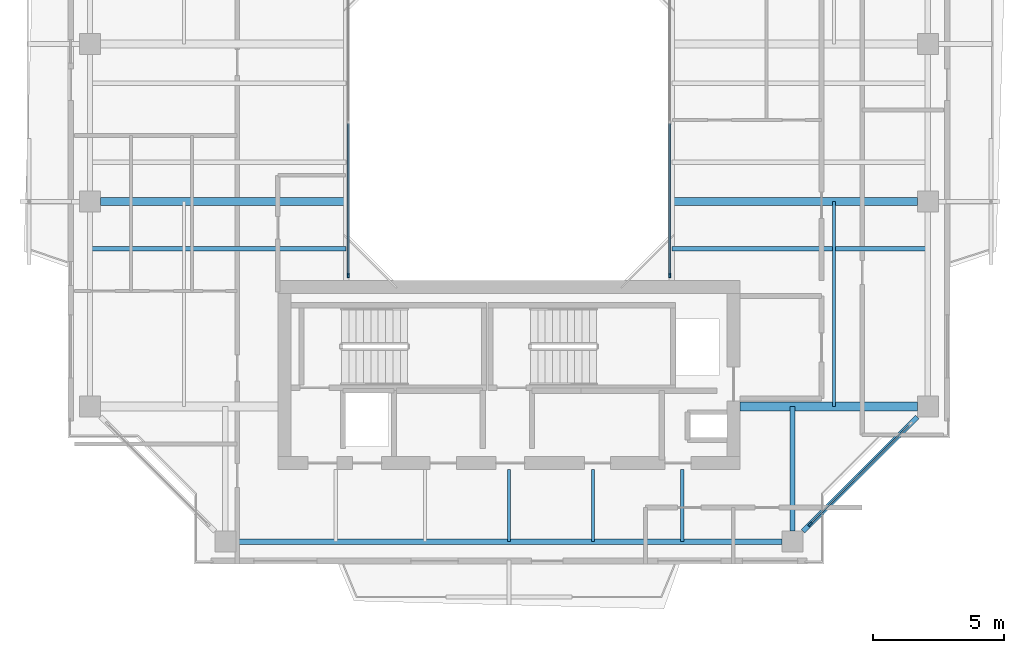
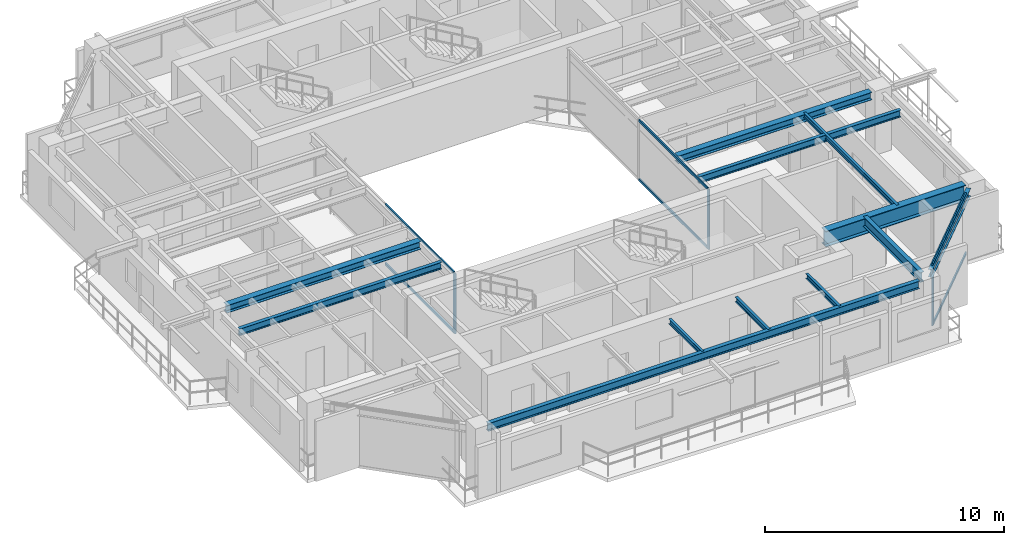
# One storey, part 4 of 16: 12 beams, 9 members, 3 elements without a shape of their own.
"""IFC4 building model written with IfcOpenShell, lengths in metres."""

from ifc_helpers import new_model, si_unit, direction, frame, origin, origin_2d, place, context, subcontext, project, spatial, rectangle, i_section, extrude, source, transform, mapped, material, layer, layer_set, material_profile, profile_set, type_object, element, aggregate, save


model = new_model("IFC4")

# Units and contexts
model_context = context("Model", 3, precision=1e-05, world=origin(), true_north=direction((0.0, 1.0)))
body_context = subcontext(model_context, "Body", "Model", "MODEL_VIEW")
ifc_project = project(units=[si_unit("LENGTHUNIT", "METRE"), si_unit("AREAUNIT", "SQUARE_METRE"), si_unit("VOLUMEUNIT", "CUBIC_METRE"), si_unit("PLANEANGLEUNIT", "RADIAN"), si_unit("MASSUNIT", "GRAM", prefix="KILO"), si_unit("THERMODYNAMICTEMPERATUREUNIT", "KELVIN"), si_unit("POWERUNIT", "WATT")], contexts=[model_context])

# Site, building, storey
site_placement = place(None, origin())
site = spatial("IfcSite", under=ifc_project, at=site_placement, CompositionType="ELEMENT")
building_placement = place(site_placement, origin())
building = spatial("IfcBuilding", under=site, at=building_placement, Name="Qiaomeng Ring Towers", CompositionType="ELEMENT")
storey_placement = place(building_placement, frame((0.0, 0.0, 197.0)))
storey = spatial("IfcBuildingStorey", under=building, at=storey_placement, Name="L57", CompositionType="ELEMENT", Elevation=197.0)

# Beams
ifc_material_1 = material(Name="Steel Q355B", Category="steel")
ifc_material_profile_1 = material_profile(ifc_material_1, i_section(OverallWidth=0.198974609375, OverallDepth=0.39599609375, WebThickness=0.007080078125, FlangeThickness=0.010986328125, FilletRadius=0.01611328125, at=origin_2d()), Name="HN 396x199x7x11")
ifc_profile_set_1 = profile_set([ifc_material_profile_1], Name="Steel Q355B")
beam_type_1 = type_object("IfcBeamType", Name="STR-BM-HN396", PredefinedType="SPANDREL", material=ifc_profile_set_1)
shared_shape_1 = source(origin(), body_context, "Body", "SweptSolid", [
    extrude(i_section(OverallWidth=0.198974609375, OverallDepth=0.39599609375, WebThickness=0.007080078125, FlangeThickness=0.010986328125, FilletRadius=0.01611328125, at=origin_2d()), origin(), (0.0, 0.0, 1.0), 20.8017578125),
])
beam_1_placement = place(storey_placement, frame((8.59912109375, 7.050048828125, 2.8720703125), z_axis=(1.0, 0.0, 0.0), x_axis=(0.0, 1.0, 0.0)))
element("IfcBeam", 1, at=beam_1_placement, inside=storey, type_object=beam_type_1, Name="L57 beam STR-SP-L57-T1-S1-S2", PredefinedType="SPANDREL", context=body_context, shape_type="MappedRepresentation", body=[
    mapped(shared_shape_1, transform((0.0, 0.0, 0.0), x_axis=(1.0, 0.0, 0.0), y_axis=(0.0, 1.0, 0.0), z_axis=(0.0, 0.0, 1.0), scale=1.0)),
])
shared_shape_2 = source(origin(), body_context, "Body", "SweptSolid", [
    extrude(i_section(OverallWidth=0.198974609375, OverallDepth=0.39599609375, WebThickness=0.007080078125, FlangeThickness=0.010986328125, FilletRadius=0.01611328125, at=origin_2d()), origin(), (0.0, 0.0, 1.0), 6.154052734375),
])
beam_2_placement = place(storey_placement, frame((30.19921875, 7.44921875, 2.8720703125), z_axis=(0.707106781187, 0.707106781187, 0.0), x_axis=(-0.707106781187, 0.707106781187, 0.0)))
element("IfcBeam", 2, at=beam_2_placement, inside=storey, type_object=beam_type_1, Name="L57 beam STR-SP-L57-T1-S2-E1", PredefinedType="SPANDREL", context=body_context, shape_type="MappedRepresentation", body=[
    mapped(shared_shape_2, transform((0.0, 0.0, 0.0), x_axis=(1.0, 0.0, 0.0), y_axis=(0.0, 1.0, 0.0), z_axis=(0.0, 0.0, 1.0), scale=1.0)),
])
ifc_material_2 = material(Name="Steel Q390GJC", Category="steel")
ifc_material_profile_2 = material_profile(ifc_material_2, i_section(OverallWidth=0.35009765625, OverallDepth=0.800048828125, WebThickness=0.01611328125, FlangeThickness=0.028076171875, at=origin_2d()), Name="WH 800x350x16x28")
ifc_profile_set_2 = profile_set([ifc_material_profile_2], Name="Steel Q390GJC")
beam_type_2 = type_object("IfcBeamType", Name="STR-BM-WH800", PredefinedType="BEAM", material=ifc_profile_set_2)
shared_shape_3 = source(origin(), body_context, "Body", "SweptSolid", [
    extrude(i_section(OverallWidth=0.35009765625, OverallDepth=0.800048828125, WebThickness=0.01611328125, FlangeThickness=0.028076171875, at=origin_2d()), origin(), (0.0, 0.0, 1.0), 6.7509765625),
])
beam_3_placement = place(storey_placement, frame((27.800048828125, 12.199951171875, 2.669921875), z_axis=(1.0, 0.0, 0.0), x_axis=(0.0, 1.0, 0.0)))
element("IfcBeam", 3, at=beam_3_placement, inside=storey, type_object=beam_type_2, Name="L57 beam STR-BM-L57-T1-RAD-E1", PredefinedType="BEAM", context=body_context, shape_type="MappedRepresentation", body=[
    mapped(shared_shape_3, transform((0.0, 0.0, 0.0), x_axis=(1.0, 0.0, 0.0), y_axis=(0.0, 1.0, 0.0), z_axis=(0.0, 0.0, 1.0), scale=1.0)),
])
ifc_material_profile_3 = material_profile(ifc_material_1, i_section(OverallWidth=0.199951171875, OverallDepth=0.5, WebThickness=0.010009765625, FlangeThickness=0.01611328125, FilletRadius=0.02001953125, at=origin_2d()), Name="HN 500x200x10x16")
ifc_profile_set_3 = profile_set([ifc_material_profile_3], Name="Steel Q355B")
beam_type_3 = type_object("IfcBeamType", Name="STR-BM-HN500", PredefinedType="BEAM", material=ifc_profile_set_3)
shared_shape_4 = source(origin(), body_context, "Body", "SweptSolid", [
    extrude(i_section(OverallWidth=0.199951171875, OverallDepth=0.5, WebThickness=0.010009765625, FlangeThickness=0.01611328125, FilletRadius=0.02001953125, at=origin_2d()), origin(), (0.0, 0.0, 1.0), 4.7509765625),
])
beam_4_placement = place(storey_placement, frame((29.800048828125, 7.448974609375, 2.820068359375), z_axis=(0.0, 1.0, 0.0), x_axis=(-1.0, 0.0, 0.0)))
element("IfcBeam", 4, at=beam_4_placement, inside=storey, type_object=beam_type_3, Name="L57 beam STR-BM-L57-T1-RAD-S2", PredefinedType="BEAM", context=body_context, shape_type="MappedRepresentation", body=[
    mapped(shared_shape_4, transform((0.0, 0.0, 0.0), x_axis=(1.0, 0.0, 0.0), y_axis=(0.0, 1.0, 0.0), z_axis=(0.0, 0.0, 1.0), scale=1.0)),
])
ifc_material_profile_4 = material_profile(ifc_material_1, i_section(OverallWidth=0.300048828125, OverallDepth=0.389892578125, WebThickness=0.010009765625, FlangeThickness=0.01611328125, FilletRadius=0.02197265625, at=origin_2d()), Name="HM 390x300x10x16")
ifc_profile_set_4 = profile_set([ifc_material_profile_4], Name="Steel Q355B")
beam_type_4 = type_object("IfcBeamType", Name="STR-BM-HM390", PredefinedType="BEAM", material=ifc_profile_set_4)
shared_shape_5 = source(origin(), body_context, "Body", "SweptSolid", [
    extrude(i_section(OverallWidth=0.300048828125, OverallDepth=0.389892578125, WebThickness=0.010009765625, FlangeThickness=0.01611328125, FilletRadius=0.02197265625, at=origin_2d()), origin(), (0.0, 0.0, 1.0), 9.35107421875),
])
for number, where, z_axis, x_axis, name in (
    (5, (3.448974609375, 20.0, 2.875), (1.0, 0.0, 0.0), (0.0, 1.0, 0.0), "L57 beam STR-BM-L57-T1-RAD-W2"),
    (6, (25.199951171875, 20.0, 2.875), (1.0, 0.0, 0.0), (0.0, 1.0, 0.0), "L57 beam STR-BM-L57-T1-RAD-E2"),
):
    element("IfcBeam", number, at=place(storey_placement, frame(where, z_axis=z_axis, x_axis=x_axis)), inside=storey, type_object=beam_type_4, Name=name, PredefinedType="BEAM", context=body_context, shape_type="MappedRepresentation", body=[
        mapped(shared_shape_5, transform((0.0, 0.0, 0.0), x_axis=(1.0, 0.0, 0.0), y_axis=(0.0, 1.0, 0.0), z_axis=(0.0, 0.0, 1.0), scale=1.0)),
    ])
ifc_material_profile_5 = material_profile(ifc_material_1, i_section(OverallWidth=0.125, OverallDepth=0.25, WebThickness=0.006103515625, FlangeThickness=0.009033203125, FilletRadius=0.011962890625, at=origin_2d()), Name="HN 250x125x6x9")
ifc_profile_set_5 = profile_set([ifc_material_profile_5], Name="Steel Q355B")
beam_type_5 = type_object("IfcBeamType", Name="STR-BM-HN250", PredefinedType="JOIST", material=ifc_profile_set_5)
shared_shape_6 = source(origin(), body_context, "Body", "SweptSolid", [
    extrude(i_section(OverallWidth=0.125, OverallDepth=0.25, WebThickness=0.006103515625, FlangeThickness=0.009033203125, FilletRadius=0.011962890625, at=origin_2d()), origin(), (0.0, 0.0, 1.0), 2.75),
])
for number, where, z_axis, x_axis, name in (
    (7, (19.0, 7.050048828125, 2.945068359375), (0.0, 1.0, 0.0), (-1.0, 0.0, 0.0), "L57 beam STR-JST-L57-T1S-3"),
    (8, (22.199951171875, 7.050048828125, 2.945068359375), (0.0, 1.0, 0.0), (-1.0, 0.0, 0.0), "L57 beam STR-JST-L57-T1S-4"),
    (9, (25.60009765625, 7.050048828125, 2.945068359375), (0.0, 1.0, 0.0), (-1.0, 0.0, 0.0), "L57 beam STR-JST-L57-T1S-5"),
):
    element("IfcBeam", number, at=place(storey_placement, frame(where, z_axis=z_axis, x_axis=x_axis)), inside=storey, type_object=beam_type_5, Name=name, PredefinedType="JOIST", context=body_context, shape_type="MappedRepresentation", body=[
        mapped(shared_shape_6, transform((0.0, 0.0, 0.0), x_axis=(1.0, 0.0, 0.0), y_axis=(0.0, 1.0, 0.0), z_axis=(0.0, 0.0, 1.0), scale=1.0)),
    ])
ifc_material_profile_6 = material_profile(ifc_material_1, i_section(OverallWidth=0.175048828125, OverallDepth=0.35009765625, WebThickness=0.007080078125, FlangeThickness=0.010986328125, FilletRadius=0.013916015625, at=origin_2d()), Name="HN 350x175x7x11")
ifc_profile_set_6 = profile_set([ifc_material_profile_6], Name="Steel Q355B")
beam_type_6 = type_object("IfcBeamType", Name="STR-BM-HN350", PredefinedType="JOIST", material=ifc_profile_set_6)
shared_shape_7 = source(origin(), body_context, "Body", "SweptSolid", [
    extrude(i_section(OverallWidth=0.175048828125, OverallDepth=0.35009765625, WebThickness=0.007080078125, FlangeThickness=0.010986328125, FilletRadius=0.013916015625, at=origin_2d()), origin(), (0.0, 0.0, 1.0), 9.75),
])
for number, where, z_axis, x_axis, name in (
    (10, (3.050048828125, 18.199951171875, 2.89501953125), (1.0, 0.0, 0.0), (0.0, 1.0, 0.0), "L57 beam STR-JST-L57-T1W-1"),
    (11, (25.199951171875, 18.199951171875, 2.89501953125), (1.0, 0.0, 0.0), (0.0, 1.0, 0.0), "L57 beam STR-JST-L57-T1E-1"),
):
    element("IfcBeam", number, at=place(storey_placement, frame(where, z_axis=z_axis, x_axis=x_axis)), inside=storey, type_object=beam_type_6, Name=name, PredefinedType="JOIST", context=body_context, shape_type="MappedRepresentation", body=[
        mapped(shared_shape_7, transform((0.0, 0.0, 0.0), x_axis=(1.0, 0.0, 0.0), y_axis=(0.0, 1.0, 0.0), z_axis=(0.0, 0.0, 1.0), scale=1.0)),
    ])
shared_shape_8 = source(origin(), body_context, "Body", "SweptSolid", [
    extrude(i_section(OverallWidth=0.125, OverallDepth=0.25, WebThickness=0.006103515625, FlangeThickness=0.009033203125, FilletRadius=0.011962890625, at=origin_2d()), origin(), (0.0, 0.0, 1.0), 7.800048828125),
])
beam_5_placement = place(storey_placement, frame((31.375, 12.199951171875, 2.945068359375), z_axis=(0.0, 1.0, 0.0), x_axis=(-1.0, 0.0, 0.0)))
element("IfcBeam", 12, at=beam_5_placement, inside=storey, type_object=beam_type_5, Name="L57 beam STR-JST-L57-T1C-ES", PredefinedType="JOIST", context=body_context, shape_type="MappedRepresentation", body=[
    mapped(shared_shape_8, transform((0.0, 0.0, 0.0), x_axis=(1.0, 0.0, 0.0), y_axis=(0.0, 1.0, 0.0), z_axis=(0.0, 0.0, 1.0), scale=1.0)),
])

# Curtain wall, member
ifc_material_3 = material(Name="Fluorocarbon dark-grey aluminium", Category="aluminium")
ifc_layer_1 = layer(ifc_material_3, 0.139892578125, Name="Fluorocarbon dark-grey aluminium")
ifc_layer_set_1 = layer_set([ifc_layer_1], Name="Fluorocarbon dark-grey aluminium")
curtain_wall_type_1 = type_object("IfcCurtainWallType", Name="ARC-CW-4", PredefinedType="NOTDEFINED", material=ifc_layer_set_1)
curtain_wall_1_placement = place(storey_placement, origin())
curtain_wall_1 = element("IfcCurtainWall", 13, at=curtain_wall_1_placement, inside=storey, type_object=curtain_wall_type_1, Name="L57 Curtain Wall CW4", PredefinedType="NOTDEFINED")
ifc_material_profile_7 = material_profile(ifc_material_3, rectangle(XDim=0.06494140625, YDim=0.159912109375, at=origin_2d()), Name="ALU MULL 65x160")
ifc_profile_set_7 = profile_set([ifc_material_profile_7], Name="Fluorocarbon dark-grey aluminium")
member_type_1 = type_object("IfcMemberType", Name="ARC-CWM-140", PredefinedType="MULLION", material=ifc_profile_set_7)
shared_shape_9 = source(origin(), body_context, "Body", "SweptSolid", [
    extrude(rectangle(XDim=0.06494140625, YDim=0.159912109375, at=origin_2d()), origin(), (0.0, 0.0, 1.0), 3.070068359375),
])
member_1_placement = place(storey_placement, frame((12.8798828125, 17.1826171875, 0.0), z_axis=(0.0, 0.0, 1.0), x_axis=(-1.0, 0.0, 0.0)))
member_1 = element("IfcMember", 14, at=member_1_placement, type_object=member_type_1, Name="CW4 mullion 1", PredefinedType="MULLION", context=body_context, shape_type="MappedRepresentation", body=[
    mapped(shared_shape_9, transform((0.0, 0.0, 0.0), x_axis=(1.0, 0.0, 0.0), y_axis=(0.0, 1.0, 0.0), z_axis=(0.0, 0.0, 1.0), scale=1.0)),
])

curtain_wall_2_placement = place(storey_placement, origin())
curtain_wall_2 = element("IfcCurtainWall", 15, at=curtain_wall_2_placement, inside=storey, type_object=curtain_wall_type_1, Name="L57 Curtain Wall CW4", PredefinedType="NOTDEFINED")
member_2_placement = place(storey_placement, frame((25.1201171875, 17.1826171875, 0.0), z_axis=(0.0, 0.0, 1.0), x_axis=(-1.0, 0.0, 0.0)))
member_2 = element("IfcMember", 16, at=member_2_placement, type_object=member_type_1, Name="CW4 mullion 1", PredefinedType="MULLION", context=body_context, shape_type="MappedRepresentation", body=[
    mapped(shared_shape_9, transform((0.0, 0.0, 0.0), x_axis=(1.0, 0.0, 0.0), y_axis=(0.0, 1.0, 0.0), z_axis=(0.0, 0.0, 1.0), scale=1.0)),
])

# Member
ifc_material_profile_8 = material_profile(ifc_material_3, rectangle(XDim=0.06494140625, YDim=0.1298828125, at=origin_2d()), Name="ALU TRAN 65x130")
ifc_profile_set_8 = profile_set([ifc_material_profile_8], Name="Fluorocarbon dark-grey aluminium")
member_type_2 = type_object("IfcMemberType", Name="ARC-CWT-120", PredefinedType="USERDEFINED", material=ifc_profile_set_8)
shared_shape_10 = source(origin(), body_context, "Body", "SweptSolid", [
    extrude(rectangle(XDim=0.06494140625, YDim=0.1298828125, at=origin_2d()), origin(), (0.0, 0.0, 1.0), 5.75244140625),
])
member_3_placement = place(storey_placement, frame((12.8798828125, 17.215087890625, 0.032470703125), z_axis=(0.0, 1.0, 0.0), x_axis=(-1.0, 0.0, 0.0)))
member_3 = element("IfcMember", 17, at=member_3_placement, type_object=member_type_2, Name="CW4 transom 1.1", ObjectType="TRANSOM", PredefinedType="USERDEFINED", context=body_context, shape_type="MappedRepresentation", body=[
    mapped(shared_shape_10, transform((0.0, 0.0, 0.0), x_axis=(1.0, 0.0, 0.0), y_axis=(0.0, 1.0, 0.0), z_axis=(0.0, 0.0, 1.0), scale=1.0)),
])

member_4_placement = place(storey_placement, frame((12.8798828125, 17.215087890625, 3.03759765625), z_axis=(0.0, 1.0, 0.0), x_axis=(-1.0, 0.0, 0.0)))
member_4 = element("IfcMember", 18, at=member_4_placement, type_object=member_type_2, Name="CW4 transom 1.2", ObjectType="TRANSOM", PredefinedType="USERDEFINED", context=body_context, shape_type="MappedRepresentation", body=[
    mapped(shared_shape_10, transform((0.0, 0.0, 0.0), x_axis=(1.0, 0.0, 0.0), y_axis=(0.0, 1.0, 0.0), z_axis=(0.0, 0.0, 1.0), scale=1.0)),
])

aggregate(curtain_wall_1, [member_1, member_3, member_4])

member_5_placement = place(storey_placement, frame((25.1201171875, 17.215087890625, 0.032470703125), z_axis=(0.0, 1.0, 0.0), x_axis=(-1.0, 0.0, 0.0)))
member_5 = element("IfcMember", 19, at=member_5_placement, type_object=member_type_2, Name="CW4 transom 1.1", ObjectType="TRANSOM", PredefinedType="USERDEFINED", context=body_context, shape_type="MappedRepresentation", body=[
    mapped(shared_shape_10, transform((0.0, 0.0, 0.0), x_axis=(1.0, 0.0, 0.0), y_axis=(0.0, 1.0, 0.0), z_axis=(0.0, 0.0, 1.0), scale=1.0)),
])

member_6_placement = place(storey_placement, frame((25.1201171875, 17.215087890625, 3.03759765625), z_axis=(0.0, 1.0, 0.0), x_axis=(-1.0, 0.0, 0.0)))
member_6 = element("IfcMember", 20, at=member_6_placement, type_object=member_type_2, Name="CW4 transom 1.2", ObjectType="TRANSOM", PredefinedType="USERDEFINED", context=body_context, shape_type="MappedRepresentation", body=[
    mapped(shared_shape_10, transform((0.0, 0.0, 0.0), x_axis=(1.0, 0.0, 0.0), y_axis=(0.0, 1.0, 0.0), z_axis=(0.0, 0.0, 1.0), scale=1.0)),
])

aggregate(curtain_wall_2, [member_2, member_5, member_6])

# Curtain wall, members
ifc_layer_2 = layer(ifc_material_3, 0.14990234375, Name="Fluorocarbon dark-grey aluminium")
ifc_layer_set_2 = layer_set([ifc_layer_2], Name="Fluorocarbon dark-grey aluminium")
curtain_wall_type_2 = type_object("IfcCurtainWallType", Name="ARC-CW-3", PredefinedType="NOTDEFINED", material=ifc_layer_set_2)
curtain_wall_3_placement = place(storey_placement, origin())
curtain_wall_3 = element("IfcCurtainWall", 21, at=curtain_wall_3_placement, inside=storey, type_object=curtain_wall_type_2, Name="L57 Curtain Wall CW3", PredefinedType="NOTDEFINED")
ifc_material_profile_9 = material_profile(ifc_material_3, rectangle(XDim=0.070068359375, YDim=0.179931640625, at=origin_2d()), Name="ALU MULL 70x180")
ifc_profile_set_9 = profile_set([ifc_material_profile_9], Name="Fluorocarbon dark-grey aluminium")
member_type_3 = type_object("IfcMemberType", Name="ARC-CWM-160", PredefinedType="MULLION", material=ifc_profile_set_9)
shared_shape_11 = source(origin(), body_context, "Body", "SweptSolid", [
    extrude(rectangle(XDim=0.070068359375, YDim=0.179931640625, at=origin_2d()), origin(), (0.0, 0.0, 1.0), 3.070068359375),
])
member_7_placement = place(storey_placement, frame((30.46484375, 7.71484375, 0.0), z_axis=(0.0, 0.0, 1.0), x_axis=(-0.707106781187, 0.707106781187, 0.0)))
member_7 = element("IfcMember", 22, at=member_7_placement, type_object=member_type_3, Name="CW3 mullion 1", PredefinedType="MULLION", context=body_context, shape_type="MappedRepresentation", body=[
    mapped(shared_shape_11, transform((0.0, 0.0, 0.0), x_axis=(1.0, 0.0, 0.0), y_axis=(0.0, 1.0, 0.0), z_axis=(0.0, 0.0, 1.0), scale=1.0)),
])
shared_shape_12 = source(origin(), body_context, "Body", "SweptSolid", [
    extrude(rectangle(XDim=0.06494140625, YDim=0.1298828125, at=origin_2d()), origin(), (0.0, 0.0, 1.0), 5.3330078125),
])
member_8_placement = place(storey_placement, frame((30.489501953125, 7.739501953125, 0.032470703125), z_axis=(0.707106781187, 0.707106781187, 0.0), x_axis=(-0.707106781187, 0.707106781187, 0.0)))
member_8 = element("IfcMember", 23, at=member_8_placement, type_object=member_type_2, Name="CW3 transom 1.1", ObjectType="TRANSOM", PredefinedType="USERDEFINED", context=body_context, shape_type="MappedRepresentation", body=[
    mapped(shared_shape_12, transform((0.0, 0.0, 0.0), x_axis=(1.0, 0.0, 0.0), y_axis=(0.0, 1.0, 0.0), z_axis=(0.0, 0.0, 1.0), scale=1.0)),
])
member_9_placement = place(storey_placement, frame((30.489501953125, 7.739501953125, 3.03759765625), z_axis=(0.707106781187, 0.707106781187, 0.0), x_axis=(-0.707106781187, 0.707106781187, 0.0)))
member_9 = element("IfcMember", 24, at=member_9_placement, type_object=member_type_2, Name="CW3 transom 1.2", ObjectType="TRANSOM", PredefinedType="USERDEFINED", context=body_context, shape_type="MappedRepresentation", body=[
    mapped(shared_shape_12, transform((0.0, 0.0, 0.0), x_axis=(1.0, 0.0, 0.0), y_axis=(0.0, 1.0, 0.0), z_axis=(0.0, 0.0, 1.0), scale=1.0)),
])
aggregate(curtain_wall_3, [member_7, member_8, member_9])

save(model, "model.ifc")
